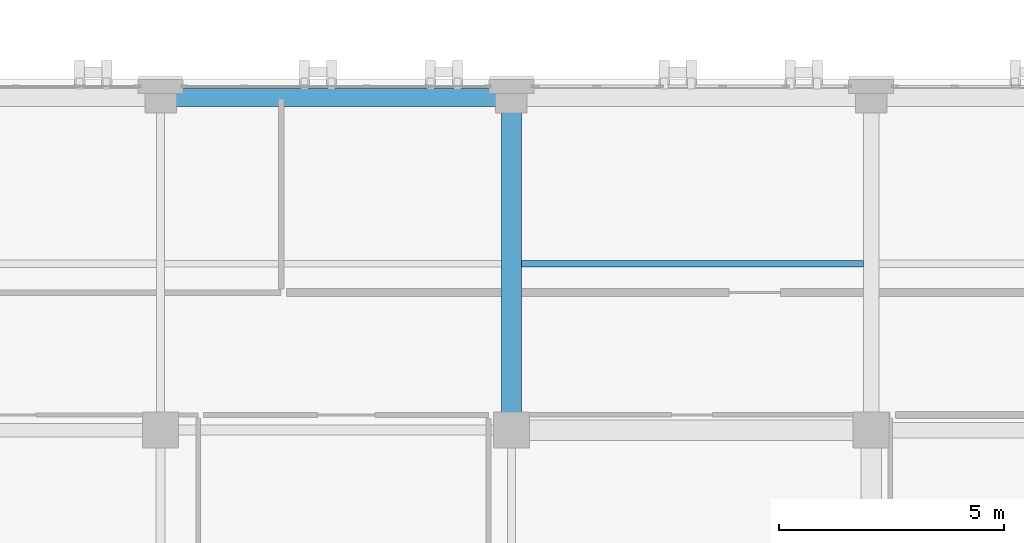
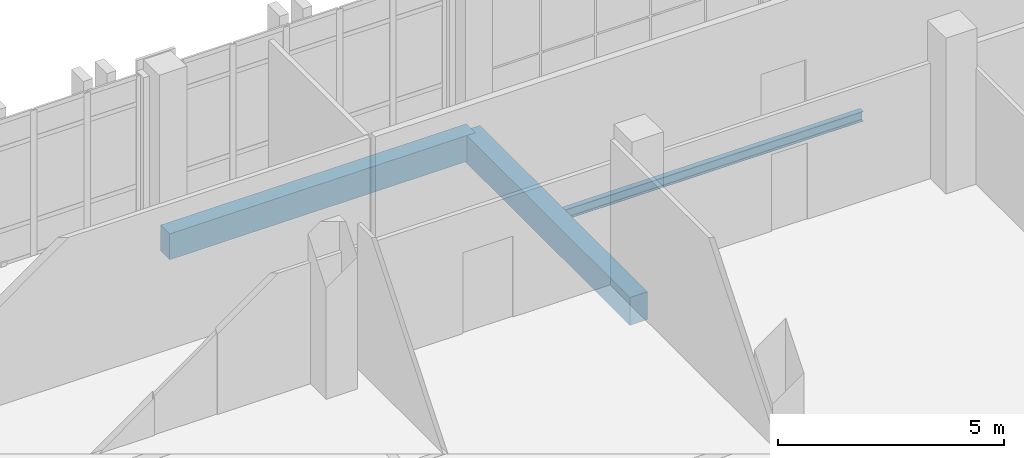
# One storey, part 125 of 193: 3 beams.
"""IFC4 building model written with IfcOpenShell, lengths in metres."""

from ifc_helpers import new_model, si_unit, direction, frame, origin, origin_2d, place, context, subcontext, project, spatial, rectangle, i_section, extrude, material, material_profile, profile_set, type_object, element, save


model = new_model("IFC4")

# Units and contexts
model_context = context("Model", 3, precision=1e-05, world=origin(), true_north=direction((0.0, 1.0)))
body_context = subcontext(model_context, "Body", "Model", "MODEL_VIEW")
ifc_project = project(units=[si_unit("LENGTHUNIT", "METRE"), si_unit("AREAUNIT", "SQUARE_METRE"), si_unit("VOLUMEUNIT", "CUBIC_METRE"), si_unit("PLANEANGLEUNIT", "RADIAN"), si_unit("MASSUNIT", "GRAM", prefix="KILO")], contexts=[model_context])

# Site, building, storey
site_placement = place(None, origin())
site = spatial("IfcSite", under=ifc_project, at=site_placement, CompositionType="ELEMENT")
building_placement = place(site_placement, origin())
building = spatial("IfcBuilding", under=site, at=building_placement, Name="Qalavern Law Courts", CompositionType="ELEMENT")
storey_placement = place(building_placement, frame((0.0, 0.0, 10.199951171875)))
storey = spatial("IfcBuildingStorey", under=building, at=storey_placement, Name="L02", CompositionType="ELEMENT", Elevation=10.199951171875)

# Beams
ifc_material_1 = material(Name="Concrete C40/50", Category="concrete")
ifc_material_profile_1 = material_profile(ifc_material_1, rectangle(XDim=0.449951171875, YDim=0.75, at=origin_2d()), Name="RC 450x750")
ifc_profile_set_1 = profile_set([ifc_material_profile_1], Name="Concrete C40/50")
beam_type_1 = type_object("IfcBeamType", Name="STR-BM-RC450x750", PredefinedType="BEAM", material=ifc_profile_set_1)
beam_1_placement = place(storey_placement, frame((149.800048828125, 14.800048828125, -0.6650390625), z_axis=(0.0, 1.0, 0.0), x_axis=(-1.0, 0.0, 0.0)))
element("IfcBeam", 1, at=beam_1_placement, inside=storey, type_object=beam_type_1, Name="V6 Y-beam 7-3 L02", PredefinedType="BEAM", context=body_context, shape_type="SweptSolid", body=[
    extrude(rectangle(XDim=0.449951171875, YDim=0.75, at=origin_2d()), origin(), (0.0, 0.0, 1.0), 7.39990234375),
])
ifc_material_2 = material(Name="Steel S355", Category="steel")
ifc_material_profile_2 = material_profile(ifc_material_2, i_section(OverallWidth=0.135009765625, OverallDepth=0.27001953125, WebThickness=0.006591796875, FlangeThickness=0.01025390625, FilletRadius=0.014892578125, at=origin_2d()), Name="IPE 270")
ifc_profile_set_2 = profile_set([ifc_material_profile_2], Name="Steel S355")
beam_type_2 = type_object("IfcBeamType", Name="STR-JST-IPE270", PredefinedType="JOIST", material=ifc_profile_set_2)
beam_2_placement = place(storey_placement, frame((150.02294921875, 18.5, -0.425048828125), z_axis=(1.0, 0.0, 0.0), x_axis=(0.0, 1.0, 0.0)))
element("IfcBeam", 2, at=beam_2_placement, inside=storey, type_object=beam_type_2, Name="V6 secondary joist 7.3.1 L02", PredefinedType="JOIST", context=body_context, shape_type="SweptSolid", body=[
    extrude(i_section(OverallWidth=0.135009765625, OverallDepth=0.27001953125, WebThickness=0.006591796875, FlangeThickness=0.01025390625, FilletRadius=0.014892578125, at=origin_2d()), origin(), (0.0, 0.0, 1.0), 7.60400390625),
])
ifc_material_profile_3 = material_profile(ifc_material_1, rectangle(XDim=0.39990234375, YDim=0.699951171875, at=origin_2d()), Name="RC 400x700")
ifc_profile_set_3 = profile_set([ifc_material_profile_3], Name="Concrete C40/50")
beam_type_3 = type_object("IfcBeamType", Name="STR-SP-RC400x700", PredefinedType="SPANDREL", material=ifc_profile_set_3)
beam_3_placement = place(storey_placement, frame((142.0, 22.199951171875, -0.639892578125), z_axis=(1.0, 0.0, 0.0), x_axis=(0.0, 1.0, 0.0)))
element("IfcBeam", 3, at=beam_3_placement, inside=storey, type_object=beam_type_3, Name="V6 X-beam 4-6 L02", PredefinedType="SPANDREL", context=body_context, shape_type="SweptSolid", body=[
    extrude(rectangle(XDim=0.39990234375, YDim=0.699951171875, at=origin_2d()), origin(), (0.0, 0.0, 1.0), 7.800048828125),
])

save(model, "model.ifc")
